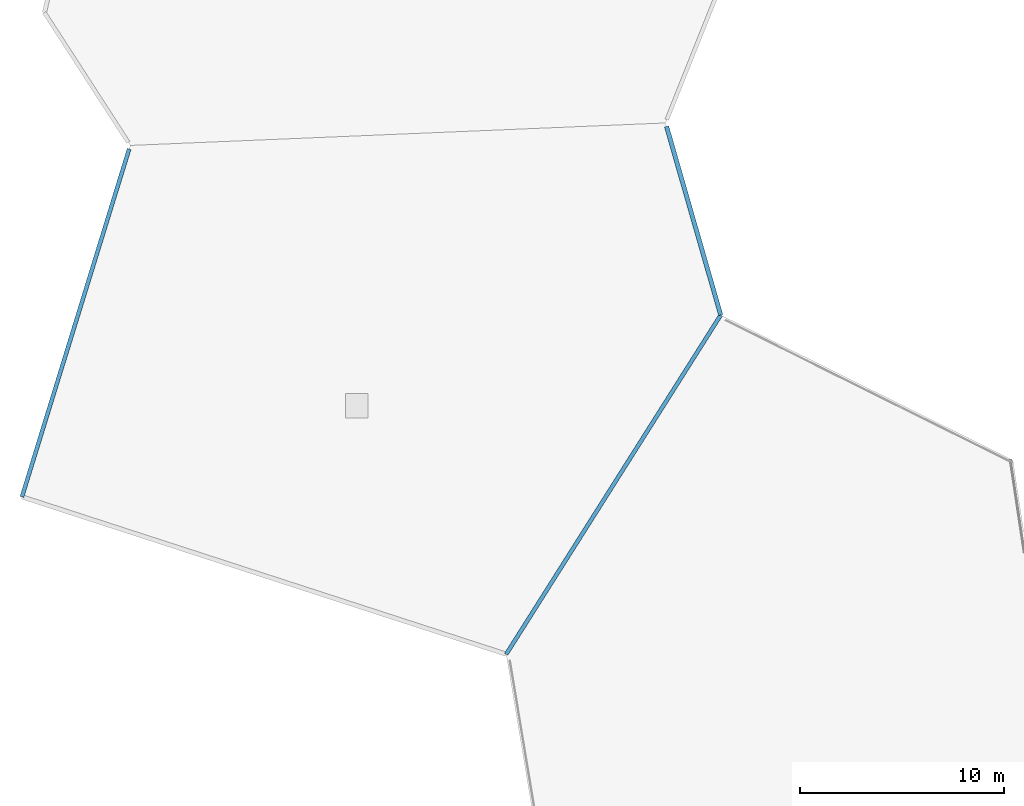
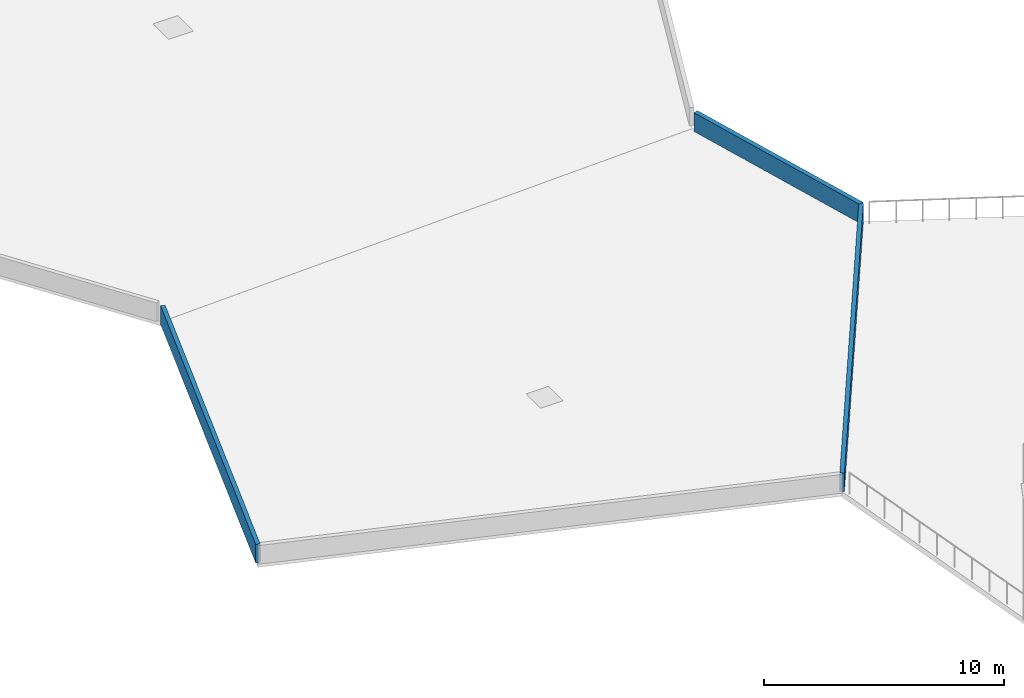
# One storey, part 56 of 66: 3 walls.
"""IFC4 building model written with IfcOpenShell, lengths in metres."""

from ifc_helpers import new_model, si_unit, direction, frame, frame_2d, origin, place, context, subcontext, project, spatial, rectangle, extrude, material, layer, layer_set, type_object, element, save


model = new_model("IFC4")

# Units and contexts
model_context = context("Model", 3, precision=1e-05, world=origin(), true_north=direction((0.0, 1.0)))
body_context = subcontext(model_context, "Body", "Model", "MODEL_VIEW")
ifc_project = project(units=[si_unit("LENGTHUNIT", "METRE"), si_unit("AREAUNIT", "SQUARE_METRE"), si_unit("VOLUMEUNIT", "CUBIC_METRE"), si_unit("PLANEANGLEUNIT", "RADIAN"), si_unit("MASSUNIT", "GRAM", prefix="KILO")], contexts=[model_context])

# Site, building, storey
site_placement = place(None, origin())
site = spatial("IfcSite", under=ifc_project, at=site_placement, CompositionType="ELEMENT")
building_placement = place(site_placement, origin())
building = spatial("IfcBuilding", under=site, at=building_placement, Name="Tameran Prism Museum", CompositionType="ELEMENT")
storey_placement = place(building_placement, frame((0.0, 0.0, 19.800048828125)))
storey = spatial("IfcBuildingStorey", under=building, at=storey_placement, Name="L04", CompositionType="ELEMENT", Elevation=19.800048828125)

# Walls
ifc_material_1 = material(Name="Precast Concrete N40 (40 MPa)", Category="concrete")
ifc_layer_1 = layer(ifc_material_1, 0.195068359375)
ifc_layer_set_1 = layer_set([ifc_layer_1])
wall_type_1 = type_object("IfcWallType", Name="EW-PAR-195", PredefinedType="PARAPET", material=ifc_layer_set_1)
wall_1_placement = place(storey_placement, frame((50.0, 56.60009765625, 0.0), z_axis=(0.0, 0.0, 1.0), x_axis=(0.534570878454, 0.845123645338, 0.0)))
element("IfcWall", 1, at=wall_1_placement, inside=storey, type_object=wall_type_1, Name="Roof Parapet EP-021", PredefinedType="PARAPET", context=body_context, shape_type="SweptSolid", body=[
    extrude(rectangle(XDim=19.641845703125, YDim=0.195068359375, at=frame_2d((9.82080078125, 0.0))), origin(), (0.0, 0.0, 1.0), 0.949951171875),
])
wall_2_placement = place(storey_placement, frame((31.547119140625, 81.327880859375, 0.0), z_axis=(0.0, 0.0, 1.0), x_axis=(-0.294482513752, -0.955656867863, 0.0)))
element("IfcWall", 2, at=wall_2_placement, inside=storey, type_object=wall_type_1, Name="Roof Parapet EP-023", PredefinedType="PARAPET", context=body_context, shape_type="SweptSolid", body=[
    extrude(rectangle(XDim=17.81787109375, YDim=0.195068359375, at=frame_2d((8.908935546875, 0.0))), origin(), (0.0, 0.0, 1.0), 0.949951171875),
])
ifc_material_2 = material(Name="Precast Concrete N40 (40 MPa)", Category="concrete")
ifc_layer_2 = layer(ifc_material_2, 0.215087890625)
ifc_layer_set_2 = layer_set([ifc_layer_2])
wall_type_2 = type_object("IfcWallType", Name="EW-PAR-215", PredefinedType="PARAPET", material=ifc_layer_set_2)
wall_3_placement = place(storey_placement, frame((60.5, 73.199951171875, 0.0), z_axis=(0.0, 0.0, 1.0), x_axis=(-0.276030822408, 0.96114878405, 0.0)))
element("IfcWall", 3, at=wall_3_placement, inside=storey, type_object=wall_type_2, Name="Roof Parapet EP-022", PredefinedType="PARAPET", context=body_context, shape_type="SweptSolid", body=[
    extrude(rectangle(XDim=9.60009765625, YDim=0.215087890625, at=frame_2d((4.800048828125, 0.0))), origin(), (0.0, 0.0, 1.0), 0.949951171875),
])

save(model, "model.ifc")
